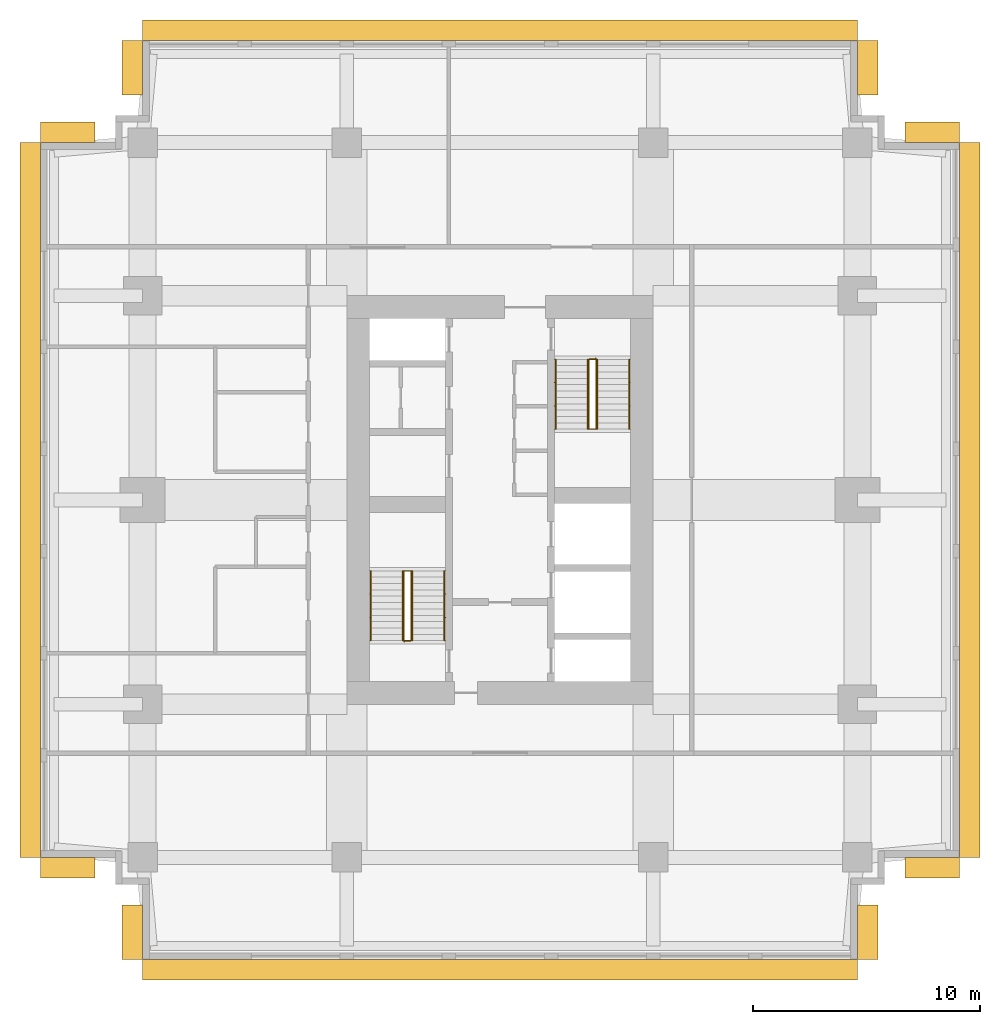
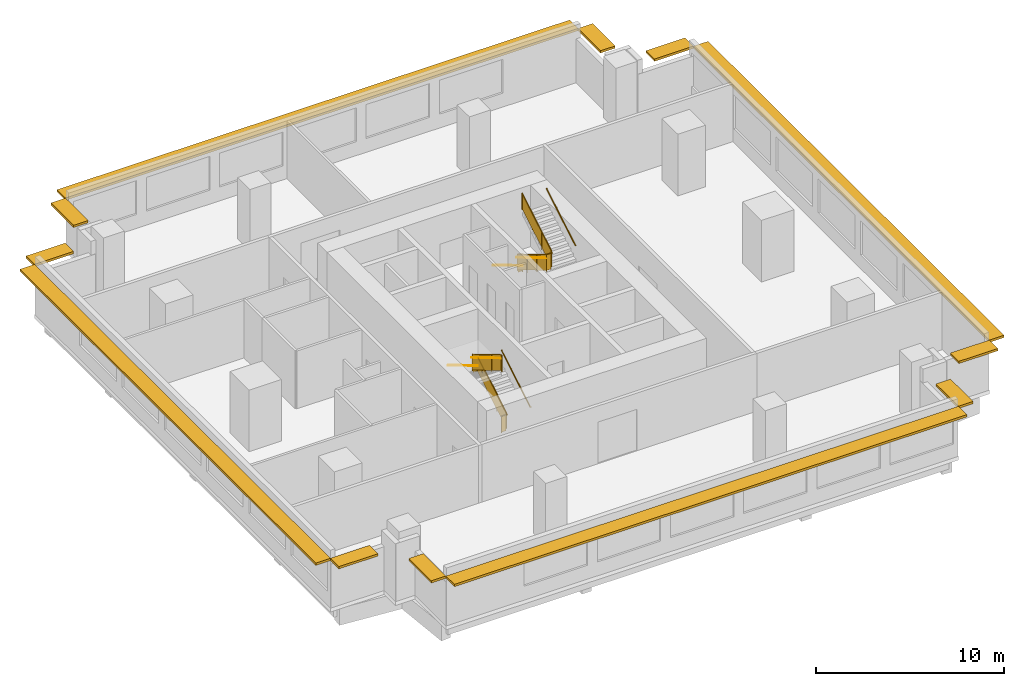
# One storey, part 5 of 5: 12 shading devices, 10 railings.
"""IFC4 building model written with IfcOpenShell, lengths in metres."""

from ifc_helpers import new_model, si_unit, direction, frame, origin, origin_2d, place, context, subcontext, project, spatial, polyline, rectangle, circle, outline, extrude, material, layer, layer_set, type_object, element, save


model = new_model("IFC4")

# Units and contexts
model_context = context("Model", 3, precision=1e-05, world=origin(), true_north=direction((0.0, 1.0)))
body_context = subcontext(model_context, "Body", "Model", "MODEL_VIEW")
ifc_project = project(units=[si_unit("LENGTHUNIT", "METRE"), si_unit("AREAUNIT", "SQUARE_METRE"), si_unit("VOLUMEUNIT", "CUBIC_METRE"), si_unit("PLANEANGLEUNIT", "RADIAN"), si_unit("MASSUNIT", "GRAM", prefix="KILO")], contexts=[model_context])

# Site, building, storey
site_placement = place(None, origin())
site = spatial("IfcSite", under=ifc_project, at=site_placement, CompositionType="ELEMENT")
building_placement = place(site_placement, origin())
building = spatial("IfcBuilding", under=site, at=building_placement, Name="Namib Vertical Campus", CompositionType="ELEMENT")
storey_placement = place(building_placement, frame((0.0, 0.0, 289.0)))
storey = spatial("IfcBuildingStorey", under=building, at=storey_placement, Name="L68", CompositionType="ELEMENT", Elevation=289.0)

# Railings
ifc_material_1 = material(Name="Steel handrail", Category="steel")
railing_type_1 = type_object("IfcRailingType", Name="Handrail 900", PredefinedType="HANDRAIL", material=ifc_material_1)
railing_1_placement = place(storey_placement, frame((17.800048828125, 14.050048828125, 0.166748046875)))
element("IfcRailing", 1, at=railing_1_placement, inside=storey, type_object=railing_type_1, Name="Handrail HR1 A-S1 L68 1", PredefinedType="HANDRAIL", context=body_context, shape_type="SweptSolid", body=[
    extrude(circle(Radius=0.02392578125, at=origin_2d()), frame((0.0, 0.0, 0.8759765625), z_axis=(0.0, 0.859290745958, 0.51148745235), x_axis=(-1.0, 0.0, 0.0)), (0.0, 0.0, 1.0), 3.584228515625),
    extrude(circle(Radius=0.008056640625, at=origin_2d()), frame((0.0, 0.0, 0.8759765625), z_axis=(1.0, 0.0, 0.0), x_axis=(0.0, 0.0, 1.0)), (0.0, 0.0, 1.0), 0.050048828125),
    extrude(circle(Radius=0.008056640625, at=origin_2d()), frame((0.0, 1.026611328125, 1.48681640625), z_axis=(1.0, 0.0, 0.0), x_axis=(0.0, 0.0, 1.0)), (0.0, 0.0, 1.0), 0.050048828125),
    extrude(circle(Radius=0.008056640625, at=origin_2d()), frame((0.0, 2.05322265625, 2.09814453125), z_axis=(1.0, 0.0, 0.0), x_axis=(0.0, 0.0, 1.0)), (0.0, 0.0, 1.0), 0.050048828125),
    extrude(circle(Radius=0.008056640625, at=origin_2d()), frame((0.0, 3.079833984375, 2.708984375), z_axis=(1.0, 0.0, 0.0), x_axis=(0.0, 0.0, 1.0)), (0.0, 0.0, 1.0), 0.050048828125),
])
railing_2_placement = place(storey_placement, frame((14.550048828125, 17.1298828125, 2.166748046875)))
element("IfcRailing", 2, at=railing_2_placement, inside=storey, type_object=railing_type_1, Name="Handrail HR1 A-S1 L68 2", PredefinedType="HANDRAIL", context=body_context, shape_type="SweptSolid", body=[
    extrude(circle(Radius=0.02392578125, at=origin_2d()), frame((0.0, 0.0, 0.8759765625), z_axis=(0.0, -0.859290745958, 0.51148745235), x_axis=(1.0, 0.0, 0.0)), (0.0, 0.0, 1.0), 3.584228515625),
    extrude(circle(Radius=0.008056640625, at=origin_2d()), frame((0.0, 0.0, 0.8759765625), z_axis=(-1.0, 0.0, 0.0), x_axis=(0.0, 0.0, 1.0)), (0.0, 0.0, 1.0), 0.050048828125),
    extrude(circle(Radius=0.008056640625, at=origin_2d()), frame((0.0, -1.026611328125, 1.48681640625), z_axis=(-1.0, 0.0, 0.0), x_axis=(0.0, 0.0, 1.0)), (0.0, 0.0, 1.0), 0.050048828125),
    extrude(circle(Radius=0.008056640625, at=origin_2d()), frame((0.0, -2.05322265625, 2.09814453125), z_axis=(-1.0, 0.0, 0.0), x_axis=(0.0, 0.0, 1.0)), (0.0, 0.0, 1.0), 0.050048828125),
    extrude(circle(Radius=0.008056640625, at=origin_2d()), frame((0.0, -3.079833984375, 2.708984375), z_axis=(-1.0, 0.0, 0.0), x_axis=(0.0, 0.0, 1.0)), (0.0, 0.0, 1.0), 0.050048828125),
])
railing_3_placement = place(storey_placement, frame((16.375, 14.050048828125, 0.166748046875)))
element("IfcRailing", 3, at=railing_3_placement, inside=storey, type_object=railing_type_1, Name="Handrail HR1 A-S1 L68 1 at the well", PredefinedType="HANDRAIL", context=body_context, shape_type="SweptSolid", body=[
    extrude(circle(Radius=0.02392578125, at=origin_2d()), frame((0.0, 0.0, 0.8759765625), z_axis=(0.0, 0.859290745958, 0.51148745235), x_axis=(-1.0, 0.0, 0.0)), (0.0, 0.0, 1.0), 3.584228515625),
    extrude(circle(Radius=0.008056640625, at=origin_2d()), frame((0.0, 0.0, 0.8759765625), z_axis=(-1.0, 0.0, 0.0), x_axis=(0.0, 0.0, 1.0)), (0.0, 0.0, 1.0), 0.0400390625),
    extrude(circle(Radius=0.008056640625, at=origin_2d()), frame((0.0, 1.026611328125, 1.48681640625), z_axis=(-1.0, 0.0, 0.0), x_axis=(0.0, 0.0, 1.0)), (0.0, 0.0, 1.0), 0.0400390625),
    extrude(circle(Radius=0.008056640625, at=origin_2d()), frame((0.0, 2.05322265625, 2.09814453125), z_axis=(-1.0, 0.0, 0.0), x_axis=(0.0, 0.0, 1.0)), (0.0, 0.0, 1.0), 0.0400390625),
    extrude(circle(Radius=0.008056640625, at=origin_2d()), frame((0.0, 3.079833984375, 2.708984375), z_axis=(-1.0, 0.0, 0.0), x_axis=(0.0, 0.0, 1.0)), (0.0, 0.0, 1.0), 0.0400390625),
])
railing_4_placement = place(storey_placement, frame((15.97509765625, 17.1298828125, 2.166748046875)))
element("IfcRailing", 4, at=railing_4_placement, inside=storey, type_object=railing_type_1, Name="Handrail HR1 A-S1 L68 2 at the well", PredefinedType="HANDRAIL", context=body_context, shape_type="SweptSolid", body=[
    extrude(circle(Radius=0.02392578125, at=origin_2d()), frame((0.0, 0.0, 0.8759765625), z_axis=(0.0, -0.859290745958, 0.51148745235), x_axis=(1.0, 0.0, 0.0)), (0.0, 0.0, 1.0), 3.584228515625),
    extrude(circle(Radius=0.008056640625, at=origin_2d()), frame((0.0, 0.0, 0.8759765625), z_axis=(1.0, 0.0, 0.0), x_axis=(0.0, 0.0, 1.0)), (0.0, 0.0, 1.0), 0.0400390625),
    extrude(circle(Radius=0.008056640625, at=origin_2d()), frame((0.0, -1.026611328125, 1.48681640625), z_axis=(1.0, 0.0, 0.0), x_axis=(0.0, 0.0, 1.0)), (0.0, 0.0, 1.0), 0.0400390625),
    extrude(circle(Radius=0.008056640625, at=origin_2d()), frame((0.0, -2.05322265625, 2.09814453125), z_axis=(1.0, 0.0, 0.0), x_axis=(0.0, 0.0, 1.0)), (0.0, 0.0, 1.0), 0.0400390625),
    extrude(circle(Radius=0.008056640625, at=origin_2d()), frame((0.0, -3.079833984375, 2.708984375), z_axis=(1.0, 0.0, 0.0), x_axis=(0.0, 0.0, 1.0)), (0.0, 0.0, 1.0), 0.0400390625),
])
railing_5_placement = place(storey_placement, frame((22.699951171875, 26.449951171875, 0.166748046875)))
element("IfcRailing", 5, at=railing_5_placement, inside=storey, type_object=railing_type_1, Name="Handrail HR1 A-S2 L68 1", PredefinedType="HANDRAIL", context=body_context, shape_type="SweptSolid", body=[
    extrude(circle(Radius=0.02392578125, at=origin_2d()), frame((0.0, 0.0, 0.8759765625), z_axis=(0.0, -0.859290745958, 0.51148745235), x_axis=(1.0, 0.0, 0.0)), (0.0, 0.0, 1.0), 3.584228515625),
    extrude(circle(Radius=0.008056640625, at=origin_2d()), frame((0.0, 0.0, 0.8759765625), z_axis=(-1.0, 0.0, 0.0), x_axis=(0.0, 0.0, 1.0)), (0.0, 0.0, 1.0), 0.050048828125),
    extrude(circle(Radius=0.008056640625, at=origin_2d()), frame((0.0, -1.026611328125, 1.48681640625), z_axis=(-1.0, 0.0, 0.0), x_axis=(0.0, 0.0, 1.0)), (0.0, 0.0, 1.0), 0.050048828125),
    extrude(circle(Radius=0.008056640625, at=origin_2d()), frame((0.0, -2.05322265625, 2.09814453125), z_axis=(-1.0, 0.0, 0.0), x_axis=(0.0, 0.0, 1.0)), (0.0, 0.0, 1.0), 0.050048828125),
    extrude(circle(Radius=0.008056640625, at=origin_2d()), frame((0.0, -3.079833984375, 2.708984375), z_axis=(-1.0, 0.0, 0.0), x_axis=(0.0, 0.0, 1.0)), (0.0, 0.0, 1.0), 0.050048828125),
])
railing_6_placement = place(storey_placement, frame((25.949951171875, 23.3701171875, 2.166748046875)))
element("IfcRailing", 6, at=railing_6_placement, inside=storey, type_object=railing_type_1, Name="Handrail HR1 A-S2 L68 2", PredefinedType="HANDRAIL", context=body_context, shape_type="SweptSolid", body=[
    extrude(circle(Radius=0.02392578125, at=origin_2d()), frame((0.0, 0.0, 0.8759765625), z_axis=(0.0, 0.859290745958, 0.51148745235), x_axis=(-1.0, 0.0, 0.0)), (0.0, 0.0, 1.0), 3.584228515625),
    extrude(circle(Radius=0.008056640625, at=origin_2d()), frame((0.0, 0.0, 0.8759765625), z_axis=(1.0, 0.0, 0.0), x_axis=(0.0, 0.0, 1.0)), (0.0, 0.0, 1.0), 0.050048828125),
    extrude(circle(Radius=0.008056640625, at=origin_2d()), frame((0.0, 1.026611328125, 1.48681640625), z_axis=(1.0, 0.0, 0.0), x_axis=(0.0, 0.0, 1.0)), (0.0, 0.0, 1.0), 0.050048828125),
    extrude(circle(Radius=0.008056640625, at=origin_2d()), frame((0.0, 2.05322265625, 2.09814453125), z_axis=(1.0, 0.0, 0.0), x_axis=(0.0, 0.0, 1.0)), (0.0, 0.0, 1.0), 0.050048828125),
    extrude(circle(Radius=0.008056640625, at=origin_2d()), frame((0.0, 3.079833984375, 2.708984375), z_axis=(1.0, 0.0, 0.0), x_axis=(0.0, 0.0, 1.0)), (0.0, 0.0, 1.0), 0.050048828125),
])
railing_7_placement = place(storey_placement, frame((24.125, 26.449951171875, 0.166748046875)))
element("IfcRailing", 7, at=railing_7_placement, inside=storey, type_object=railing_type_1, Name="Handrail HR1 A-S2 L68 1 at the well", PredefinedType="HANDRAIL", context=body_context, shape_type="SweptSolid", body=[
    extrude(circle(Radius=0.02392578125, at=origin_2d()), frame((0.0, 0.0, 0.8759765625), z_axis=(0.0, -0.859290745958, 0.51148745235), x_axis=(1.0, 0.0, 0.0)), (0.0, 0.0, 1.0), 3.584228515625),
    extrude(circle(Radius=0.008056640625, at=origin_2d()), frame((0.0, 0.0, 0.8759765625), z_axis=(1.0, 0.0, 0.0), x_axis=(0.0, 0.0, 1.0)), (0.0, 0.0, 1.0), 0.0400390625),
    extrude(circle(Radius=0.008056640625, at=origin_2d()), frame((0.0, -1.026611328125, 1.48681640625), z_axis=(1.0, 0.0, 0.0), x_axis=(0.0, 0.0, 1.0)), (0.0, 0.0, 1.0), 0.0400390625),
    extrude(circle(Radius=0.008056640625, at=origin_2d()), frame((0.0, -2.05322265625, 2.09814453125), z_axis=(1.0, 0.0, 0.0), x_axis=(0.0, 0.0, 1.0)), (0.0, 0.0, 1.0), 0.0400390625),
    extrude(circle(Radius=0.008056640625, at=origin_2d()), frame((0.0, -3.079833984375, 2.708984375), z_axis=(1.0, 0.0, 0.0), x_axis=(0.0, 0.0, 1.0)), (0.0, 0.0, 1.0), 0.0400390625),
])
railing_8_placement = place(storey_placement, frame((24.52490234375, 23.3701171875, 2.166748046875)))
element("IfcRailing", 8, at=railing_8_placement, inside=storey, type_object=railing_type_1, Name="Handrail HR1 A-S2 L68 2 at the well", PredefinedType="HANDRAIL", context=body_context, shape_type="SweptSolid", body=[
    extrude(circle(Radius=0.02392578125, at=origin_2d()), frame((0.0, 0.0, 0.8759765625), z_axis=(0.0, 0.859290745958, 0.51148745235), x_axis=(-1.0, 0.0, 0.0)), (0.0, 0.0, 1.0), 3.584228515625),
    extrude(circle(Radius=0.008056640625, at=origin_2d()), frame((0.0, 0.0, 0.8759765625), z_axis=(-1.0, 0.0, 0.0), x_axis=(0.0, 0.0, 1.0)), (0.0, 0.0, 1.0), 0.0400390625),
    extrude(circle(Radius=0.008056640625, at=origin_2d()), frame((0.0, 1.026611328125, 1.48681640625), z_axis=(-1.0, 0.0, 0.0), x_axis=(0.0, 0.0, 1.0)), (0.0, 0.0, 1.0), 0.0400390625),
    extrude(circle(Radius=0.008056640625, at=origin_2d()), frame((0.0, 2.05322265625, 2.09814453125), z_axis=(-1.0, 0.0, 0.0), x_axis=(0.0, 0.0, 1.0)), (0.0, 0.0, 1.0), 0.0400390625),
    extrude(circle(Radius=0.008056640625, at=origin_2d()), frame((0.0, 3.079833984375, 2.708984375), z_axis=(-1.0, 0.0, 0.0), x_axis=(0.0, 0.0, 1.0)), (0.0, 0.0, 1.0), 0.0400390625),
])
ifc_material_2 = material(Name="Steel balustrade", Category="steel")
railing_type_2 = type_object("IfcRailingType", Name="Stair guard 1100", PredefinedType="GUARDRAIL", material=ifc_material_2)
railing_9_placement = place(storey_placement, frame((16.02490234375, 14.050048828125, 0.0)))
element("IfcRailing", 9, at=railing_9_placement, inside=storey, type_object=railing_type_2, Name="Stair guard GR1 A-S1 L68", PredefinedType="GUARDRAIL", context=body_context, shape_type="SweptSolid", body=[
    extrude(circle(Radius=0.02392578125, at=origin_2d()), frame((0.0, 0.0, 1.076171875), z_axis=(1.0, 0.0, 0.0), x_axis=(0.0, 1.0, 0.0)), (0.0, 0.0, 1.0), 0.300048828125),
    extrude(outline(polyline([(0.02099609375, 0.050048828125), (0.279052734375, 0.050048828125), (0.279052734375, 1.052001953125), (0.02099609375, 1.052001953125), (0.02099609375, 0.050048828125)])), frame((0.0, 0.010009765625, 0.0), z_axis=(0.0, -1.0, 0.0), x_axis=(1.0, 0.0, 0.0)), (0.0, 0.0, 1.0), 0.02001953125),
    extrude(circle(Radius=0.02392578125, at=origin_2d()), frame((0.300048828125, 0.0, 1.076171875), z_axis=(0.0, 0.0, 1.0), x_axis=(1.0, 0.0, 0.0)), (0.0, 0.0, 1.0), 0.166748046875),
    extrude(circle(Radius=0.02392578125, at=origin_2d()), frame((0.300048828125, 0.0, 1.24267578125), z_axis=(0.0, 0.859290745958, 0.51148745235), x_axis=(-1.0, 0.0, 0.0)), (0.0, 0.0, 1.0), 3.584228515625),
    extrude(outline(polyline([(0.02099609375, 0.0625), (3.058837890625, 1.870849609375), (3.058837890625, 2.872802734375), (0.02099609375, 1.064453125), (0.02099609375, 0.0625)])), frame((0.2900390625, 0.0, 0.166748046875), z_axis=(1.0, 0.0, 0.0), x_axis=(0.0, 1.0, 0.0)), (0.0, 0.0, 1.0), 0.02001953125),
    extrude(circle(Radius=0.02392578125, at=origin_2d()), frame((0.300048828125, 3.079833984375, 3.076171875), z_axis=(-1.0, 0.0, 0.0), x_axis=(0.0, -1.0, 0.0)), (0.0, 0.0, 1.0), 0.300048828125),
    extrude(outline(polyline([(0.02099609375, 0.050048828125), (0.279052734375, 0.050048828125), (0.279052734375, 1.052001953125), (0.02099609375, 1.052001953125), (0.02099609375, 0.050048828125)])), frame((0.300048828125, 3.06982421875, 2.0), z_axis=(0.0, 1.0, 0.0), x_axis=(-1.0, 0.0, 0.0)), (0.0, 0.0, 1.0), 0.02001953125),
    extrude(circle(Radius=0.02392578125, at=origin_2d()), frame((0.0, 3.079833984375, 3.076171875), z_axis=(0.0, 0.0, 1.0), x_axis=(1.0, 0.0, 0.0)), (0.0, 0.0, 1.0), 0.166748046875),
    extrude(circle(Radius=0.02392578125, at=origin_2d()), frame((0.0, 3.079833984375, 3.24267578125), z_axis=(0.0, -0.859290745958, 0.51148745235), x_axis=(1.0, 0.0, 0.0)), (0.0, 0.0, 1.0), 3.584228515625),
    extrude(outline(polyline([(0.02099609375, 0.0625), (3.058837890625, 1.870849609375), (3.058837890625, 2.872802734375), (0.02099609375, 1.064453125), (0.02099609375, 0.0625)])), frame((0.010009765625, 3.079833984375, 2.166748046875), z_axis=(-1.0, 0.0, 0.0), x_axis=(0.0, -1.0, 0.0)), (0.0, 0.0, 1.0), 0.02001953125),
    extrude(circle(Radius=0.02392578125, at=origin_2d()), frame((0.0, 0.0, 5.076171875), z_axis=(0.0, -1.0, 0.0), x_axis=(1.0, 0.0, 0.0)), (0.0, 0.0, 1.0), 0.050048828125),
    extrude(outline(polyline([(0.02099609375, 0.050048828125), (0.029052734375, 0.050048828125), (0.029052734375, 1.052001953125), (0.02099609375, 1.052001953125), (0.02099609375, 0.050048828125)])), frame((0.010009765625, 0.0, 4.0), z_axis=(-1.0, 0.0, 0.0), x_axis=(0.0, -1.0, 0.0)), (0.0, 0.0, 1.0), 0.02001953125),
    extrude(circle(Radius=0.02099609375, at=origin_2d()), origin(), (0.0, 0.0, 1.0), 1.052001953125),
    extrude(circle(Radius=0.02099609375, at=origin_2d()), frame((0.300048828125, 0.0, 0.166748046875)), (0.0, 0.0, 1.0), 1.052001953125),
    extrude(circle(Radius=0.02099609375, at=origin_2d()), frame((0.300048828125, 1.026611328125, 0.666748046875)), (0.0, 0.0, 1.0), 1.1630859375),
    extrude(circle(Radius=0.02099609375, at=origin_2d()), frame((0.300048828125, 2.05322265625, 1.33349609375)), (0.0, 0.0, 1.0), 1.107421875),
    extrude(circle(Radius=0.02099609375, at=origin_2d()), frame((0.300048828125, 3.079833984375, 2.0)), (0.0, 0.0, 1.0), 1.052001953125),
    extrude(circle(Radius=0.02099609375, at=origin_2d()), frame((0.0, 3.079833984375, 2.166748046875)), (0.0, 0.0, 1.0), 1.052001953125),
    extrude(circle(Radius=0.02099609375, at=origin_2d()), frame((0.0, 2.05322265625, 2.666748046875)), (0.0, 0.0, 1.0), 1.1630859375),
    extrude(circle(Radius=0.02099609375, at=origin_2d()), frame((0.0, 1.026611328125, 3.33349609375)), (0.0, 0.0, 1.0), 1.107421875),
    extrude(circle(Radius=0.02099609375, at=origin_2d()), frame((0.0, 0.0, 4.0)), (0.0, 0.0, 1.0), 1.052001953125),
    extrude(circle(Radius=0.02099609375, at=origin_2d()), frame((0.0, -0.050048828125, 4.0)), (0.0, 0.0, 1.0), 1.052001953125),
])
railing_10_placement = place(storey_placement, frame((24.47509765625, 26.449951171875, 0.0)))
element("IfcRailing", 10, at=railing_10_placement, inside=storey, type_object=railing_type_2, Name="Stair guard GR1 A-S2 L68", PredefinedType="GUARDRAIL", context=body_context, shape_type="SweptSolid", body=[
    extrude(circle(Radius=0.02392578125, at=origin_2d()), frame((0.0, 0.0, 1.076171875), z_axis=(-1.0, 0.0, 0.0), x_axis=(0.0, -1.0, 0.0)), (0.0, 0.0, 1.0), 0.300048828125),
    extrude(outline(polyline([(0.02099609375, 0.050048828125), (0.279052734375, 0.050048828125), (0.279052734375, 1.052001953125), (0.02099609375, 1.052001953125), (0.02099609375, 0.050048828125)])), frame((0.0, -0.010009765625, 0.0), z_axis=(0.0, 1.0, 0.0), x_axis=(-1.0, 0.0, 0.0)), (0.0, 0.0, 1.0), 0.02001953125),
    extrude(circle(Radius=0.02392578125, at=origin_2d()), frame((-0.300048828125, 0.0, 1.076171875), z_axis=(0.0, 0.0, 1.0), x_axis=(1.0, 0.0, 0.0)), (0.0, 0.0, 1.0), 0.166748046875),
    extrude(circle(Radius=0.02392578125, at=origin_2d()), frame((-0.300048828125, 0.0, 1.24267578125), z_axis=(0.0, -0.859290745958, 0.51148745235), x_axis=(1.0, 0.0, 0.0)), (0.0, 0.0, 1.0), 3.584228515625),
    extrude(outline(polyline([(0.02099609375, 0.0625), (3.058837890625, 1.870849609375), (3.058837890625, 2.872802734375), (0.02099609375, 1.064453125), (0.02099609375, 0.0625)])), frame((-0.2900390625, 0.0, 0.166748046875), z_axis=(-1.0, 0.0, 0.0), x_axis=(0.0, -1.0, 0.0)), (0.0, 0.0, 1.0), 0.02001953125),
    extrude(circle(Radius=0.02392578125, at=origin_2d()), frame((-0.300048828125, -3.079833984375, 3.076171875), z_axis=(1.0, 0.0, 0.0), x_axis=(0.0, 1.0, 0.0)), (0.0, 0.0, 1.0), 0.300048828125),
    extrude(outline(polyline([(0.02099609375, 0.050048828125), (0.279052734375, 0.050048828125), (0.279052734375, 1.052001953125), (0.02099609375, 1.052001953125), (0.02099609375, 0.050048828125)])), frame((-0.300048828125, -3.06982421875, 2.0), z_axis=(0.0, -1.0, 0.0), x_axis=(1.0, 0.0, 0.0)), (0.0, 0.0, 1.0), 0.02001953125),
    extrude(circle(Radius=0.02392578125, at=origin_2d()), frame((0.0, -3.079833984375, 3.076171875), z_axis=(0.0, 0.0, 1.0), x_axis=(1.0, 0.0, 0.0)), (0.0, 0.0, 1.0), 0.166748046875),
    extrude(circle(Radius=0.02392578125, at=origin_2d()), frame((0.0, -3.079833984375, 3.24267578125), z_axis=(0.0, 0.859290745958, 0.51148745235), x_axis=(-1.0, 0.0, 0.0)), (0.0, 0.0, 1.0), 3.584228515625),
    extrude(outline(polyline([(0.02099609375, 0.0625), (3.058837890625, 1.870849609375), (3.058837890625, 2.872802734375), (0.02099609375, 1.064453125), (0.02099609375, 0.0625)])), frame((-0.010009765625, -3.079833984375, 2.166748046875), z_axis=(1.0, 0.0, 0.0), x_axis=(0.0, 1.0, 0.0)), (0.0, 0.0, 1.0), 0.02001953125),
    extrude(circle(Radius=0.02392578125, at=origin_2d()), frame((0.0, 0.0, 5.076171875), z_axis=(0.0, 1.0, 0.0), x_axis=(-1.0, 0.0, 0.0)), (0.0, 0.0, 1.0), 0.050048828125),
    extrude(outline(polyline([(0.02099609375, 0.050048828125), (0.029052734375, 0.050048828125), (0.029052734375, 1.052001953125), (0.02099609375, 1.052001953125), (0.02099609375, 0.050048828125)])), frame((-0.010009765625, 0.0, 4.0), z_axis=(1.0, 0.0, 0.0), x_axis=(0.0, 1.0, 0.0)), (0.0, 0.0, 1.0), 0.02001953125),
    extrude(circle(Radius=0.02099609375, at=origin_2d()), origin(), (0.0, 0.0, 1.0), 1.052001953125),
    extrude(circle(Radius=0.02099609375, at=origin_2d()), frame((-0.300048828125, 0.0, 0.166748046875)), (0.0, 0.0, 1.0), 1.052001953125),
    extrude(circle(Radius=0.02099609375, at=origin_2d()), frame((-0.300048828125, -1.026611328125, 0.666748046875)), (0.0, 0.0, 1.0), 1.1630859375),
    extrude(circle(Radius=0.02099609375, at=origin_2d()), frame((-0.300048828125, -2.05322265625, 1.33349609375)), (0.0, 0.0, 1.0), 1.107421875),
    extrude(circle(Radius=0.02099609375, at=origin_2d()), frame((-0.300048828125, -3.079833984375, 2.0)), (0.0, 0.0, 1.0), 1.052001953125),
    extrude(circle(Radius=0.02099609375, at=origin_2d()), frame((0.0, -3.079833984375, 2.166748046875)), (0.0, 0.0, 1.0), 1.052001953125),
    extrude(circle(Radius=0.02099609375, at=origin_2d()), frame((0.0, -2.05322265625, 2.666748046875)), (0.0, 0.0, 1.0), 1.1630859375),
    extrude(circle(Radius=0.02099609375, at=origin_2d()), frame((0.0, -1.026611328125, 3.33349609375)), (0.0, 0.0, 1.0), 1.107421875),
    extrude(circle(Radius=0.02099609375, at=origin_2d()), frame((0.0, 0.0, 4.0)), (0.0, 0.0, 1.0), 1.052001953125),
    extrude(circle(Radius=0.02099609375, at=origin_2d()), frame((0.0, 0.050048828125, 4.0)), (0.0, 0.0, 1.0), 1.052001953125),
])

# Shading devices
ifc_material_3 = material(Name="Concrete C40/50 precast", Category="concrete")
ifc_layer = layer(ifc_material_3, 0.14990234375)
ifc_layer_set = layer_set([ifc_layer], Name="Concrete C40/50 precast")
shading_device_type = type_object("IfcShadingDeviceType", Name="Sunshade hood 900", PredefinedType="SHUTTER", material=ifc_layer_set)
shading_device_1_placement = place(storey_placement, frame((20.25, -0.449951171875, 3.10009765625), z_axis=(0.0, 0.0, 1.0), x_axis=(1.0, 0.0, 0.0)))
element("IfcShadingDevice", 11, at=shading_device_1_placement, inside=storey, type_object=shading_device_type, Name="Sunshade SH1 L68 1", PredefinedType="SHUTTER", context=body_context, shape_type="SweptSolid", body=[
    extrude(rectangle(XDim=31.5, YDim=0.89990234375, at=origin_2d()), origin(), (0.0, 0.0, 1.0), 0.14990234375),
])
for number, where, z_axis, x_axis, name in (
    (12, (36.449951171875, 1.199951171875, 3.10009765625), (0.0, 0.0, 1.0), (0.0, 1.0, 0.0), "Sunshade SH1 L68 2"),
    (13, (39.300048828125, 4.050048828125, 3.10009765625), (0.0, 0.0, 1.0), (1.0, 0.0, 0.0), "Sunshade SH1 L68 5"),
):
    element("IfcShadingDevice", number, at=place(storey_placement, frame(where, z_axis=z_axis, x_axis=x_axis)), inside=storey, type_object=shading_device_type, Name=name, PredefinedType="SHUTTER", context=body_context, shape_type="SweptSolid", body=[
        extrude(rectangle(XDim=2.39990234375, YDim=0.89990234375, at=origin_2d()), origin(), (0.0, 0.0, 1.0), 0.14990234375),
    ])
shading_device_2_placement = place(storey_placement, frame((40.949951171875, 20.25, 3.10009765625), z_axis=(0.0, 0.0, 1.0), x_axis=(0.0, 1.0, 0.0)))
element("IfcShadingDevice", 14, at=shading_device_2_placement, inside=storey, type_object=shading_device_type, Name="Sunshade SH1 L68 6", PredefinedType="SHUTTER", context=body_context, shape_type="SweptSolid", body=[
    extrude(rectangle(XDim=31.5, YDim=0.89990234375, at=origin_2d()), origin(), (0.0, 0.0, 1.0), 0.14990234375),
])
for number, where, z_axis, x_axis, name in (
    (15, (39.300048828125, 36.449951171875, 3.10009765625), (0.0, 0.0, 1.0), (-1.0, 0.0, 0.0), "Sunshade SH1 L68 7"),
    (16, (36.449951171875, 39.300048828125, 3.10009765625), (0.0, 0.0, 1.0), (0.0, 1.0, 0.0), "Sunshade SH1 L68 10"),
):
    element("IfcShadingDevice", number, at=place(storey_placement, frame(where, z_axis=z_axis, x_axis=x_axis)), inside=storey, type_object=shading_device_type, Name=name, PredefinedType="SHUTTER", context=body_context, shape_type="SweptSolid", body=[
        extrude(rectangle(XDim=2.39990234375, YDim=0.89990234375, at=origin_2d()), origin(), (0.0, 0.0, 1.0), 0.14990234375),
    ])
shading_device_3_placement = place(storey_placement, frame((20.25, 40.949951171875, 3.10009765625), z_axis=(0.0, 0.0, 1.0), x_axis=(-1.0, 0.0, 0.0)))
element("IfcShadingDevice", 17, at=shading_device_3_placement, inside=storey, type_object=shading_device_type, Name="Sunshade SH1 L68 11", PredefinedType="SHUTTER", context=body_context, shape_type="SweptSolid", body=[
    extrude(rectangle(XDim=31.5, YDim=0.89990234375, at=origin_2d()), origin(), (0.0, 0.0, 1.0), 0.14990234375),
])
for number, where, z_axis, x_axis, name in (
    (18, (4.050048828125, 39.300048828125, 3.10009765625), (0.0, 0.0, 1.0), (0.0, -1.0, 0.0), "Sunshade SH1 L68 12"),
    (19, (1.199951171875, 36.449951171875, 3.10009765625), (0.0, 0.0, 1.0), (-1.0, 0.0, 0.0), "Sunshade SH1 L68 15"),
):
    element("IfcShadingDevice", number, at=place(storey_placement, frame(where, z_axis=z_axis, x_axis=x_axis)), inside=storey, type_object=shading_device_type, Name=name, PredefinedType="SHUTTER", context=body_context, shape_type="SweptSolid", body=[
        extrude(rectangle(XDim=2.39990234375, YDim=0.89990234375, at=origin_2d()), origin(), (0.0, 0.0, 1.0), 0.14990234375),
    ])
shading_device_4_placement = place(storey_placement, frame((-0.449951171875, 20.25, 3.10009765625), z_axis=(0.0, 0.0, 1.0), x_axis=(0.0, -1.0, 0.0)))
element("IfcShadingDevice", 20, at=shading_device_4_placement, inside=storey, type_object=shading_device_type, Name="Sunshade SH1 L68 16", PredefinedType="SHUTTER", context=body_context, shape_type="SweptSolid", body=[
    extrude(rectangle(XDim=31.5, YDim=0.89990234375, at=origin_2d()), origin(), (0.0, 0.0, 1.0), 0.14990234375),
])
for number, where, z_axis, x_axis, name in (
    (21, (1.199951171875, 4.050048828125, 3.10009765625), (0.0, 0.0, 1.0), (1.0, 0.0, 0.0), "Sunshade SH1 L68 17"),
    (22, (4.050048828125, 1.199951171875, 3.10009765625), (0.0, 0.0, 1.0), (0.0, -1.0, 0.0), "Sunshade SH1 L68 20"),
):
    element("IfcShadingDevice", number, at=place(storey_placement, frame(where, z_axis=z_axis, x_axis=x_axis)), inside=storey, type_object=shading_device_type, Name=name, PredefinedType="SHUTTER", context=body_context, shape_type="SweptSolid", body=[
        extrude(rectangle(XDim=2.39990234375, YDim=0.89990234375, at=origin_2d()), origin(), (0.0, 0.0, 1.0), 0.14990234375),
    ])

save(model, "model.ifc")
